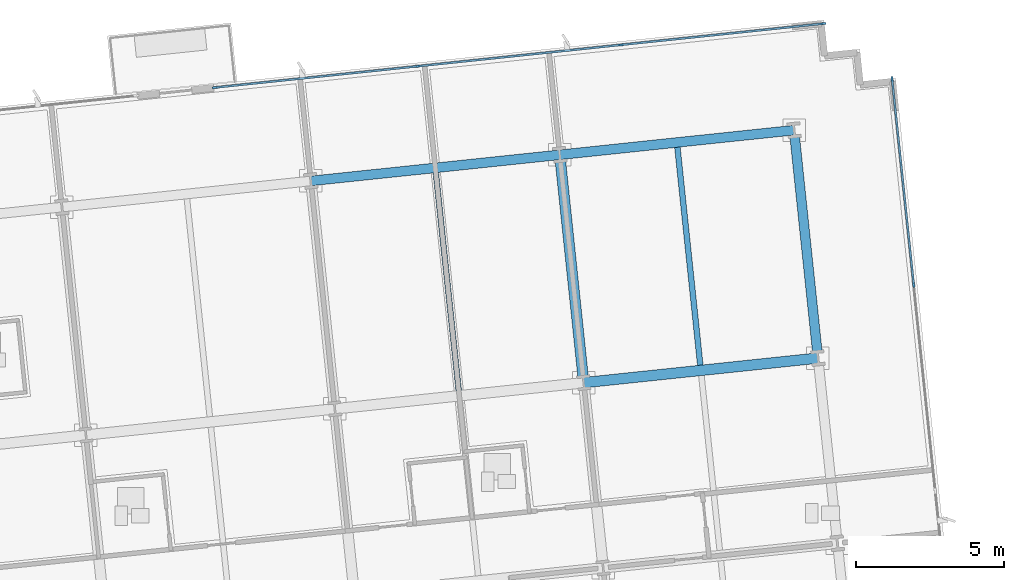
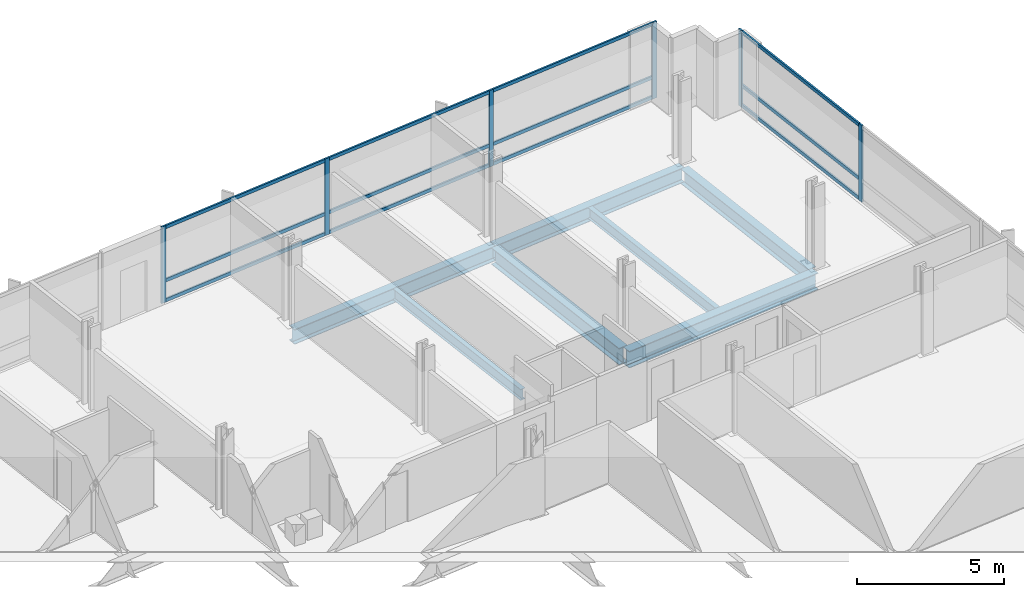
# One storey, part 8 of 19: 18 members, 7 beams, 2 elements without a shape of their own.
"""IFC4 building model written with IfcOpenShell, lengths in metres."""

from ifc_helpers import new_model, si_unit, direction, frame, origin, origin_2d, place, context, subcontext, project, spatial, rectangle, i_section, extrude, material, material_profile, profile_set, type_object, element, aggregate, save


model = new_model("IFC4")

# Units and contexts
model_context = context("Model", 3, precision=1e-05, world=origin(), true_north=direction((0.0, 1.0)))
body_context = subcontext(model_context, "Body", "Model", "MODEL_VIEW")
ifc_project = project(units=[si_unit("LENGTHUNIT", "METRE"), si_unit("AREAUNIT", "SQUARE_METRE"), si_unit("VOLUMEUNIT", "CUBIC_METRE"), si_unit("PLANEANGLEUNIT", "RADIAN"), si_unit("MASSUNIT", "GRAM", prefix="KILO")], contexts=[model_context])

# Site, building, storey
site_placement = place(None, origin())
site = spatial("IfcSite", under=ifc_project, at=site_placement, CompositionType="ELEMENT")
building_placement = place(site_placement, origin())
building = spatial("IfcBuilding", under=site, at=building_placement, Name="Solmavex Isthmus Hotel", CompositionType="ELEMENT")
storey_placement = place(building_placement, frame((0.0, 0.0, 83.550048828125)))
storey = spatial("IfcBuildingStorey", under=building, at=storey_placement, Name="L22", CompositionType="ELEMENT", Elevation=83.550048828125)

# Beams
ifc_material_1 = material(Name="Steel ASTM A992 Grade 50", Category="steel")
ifc_material_profile_1 = material_profile(ifc_material_1, i_section(OverallWidth=0.354736328125, OverallDepth=0.695556640625, WebThickness=0.015380859375, FlangeThickness=0.02490234375, FilletRadius=0.017822265625, at=origin_2d()), Name="W27X146")
ifc_profile_set_1 = profile_set([ifc_material_profile_1], Name="Steel ASTM A992 Grade 50")
beam_type_1 = type_object("IfcBeamType", Name="BM-BG-W27X146", PredefinedType="BEAM", material=ifc_profile_set_1)
beam_1_placement = place(storey_placement, frame((20.5615234375, 11.921875, -0.60791015625), z_axis=(0.994523402738, 0.104514120609, 0.0), x_axis=(-0.104514120609, 0.994523402738, 0.0)))
element("IfcBeam", 1, at=beam_1_placement, inside=storey, type_object=beam_type_1, Name="Floor Girder L22-UG18", PredefinedType="BEAM", context=body_context, shape_type="SweptSolid", body=[
    extrude(i_section(OverallWidth=0.354736328125, OverallDepth=0.695556640625, WebThickness=0.015380859375, FlangeThickness=0.02490234375, FilletRadius=0.017822265625, at=origin_2d()), origin(), (0.0, 0.0, 1.0), 7.968017578125),
])
beam_2_placement = place(storey_placement, frame((20.54296875, 12.098388671875, -0.60791015625), z_axis=(-0.1045578893, 0.994518802128, 0.0), x_axis=(-0.994518802128, -0.1045578893, 0.0)))
element("IfcBeam", 2, at=beam_2_placement, inside=storey, type_object=beam_type_1, Name="Floor Beam L22-VG45", PredefinedType="BEAM", context=body_context, shape_type="SweptSolid", body=[
    extrude(i_section(OverallWidth=0.354736328125, OverallDepth=0.695556640625, WebThickness=0.015380859375, FlangeThickness=0.02490234375, FilletRadius=0.017822265625, at=origin_2d()), origin(), (0.0, 0.0, 1.0), 7.4111328125),
])
ifc_material_profile_2 = material_profile(ifc_material_1, i_section(OverallWidth=0.1904296875, OverallDepth=0.456787109375, WebThickness=0.009033203125, FlangeThickness=0.014404296875, FilletRadius=0.0126953125, at=origin_2d()), Name="W18X50")
ifc_profile_set_2 = profile_set([ifc_material_profile_2], Name="Steel ASTM A992 Grade 50")
beam_type_2 = type_object("IfcBeamType", Name="BM-BJ-W18X50", PredefinedType="JOIST", material=ifc_profile_set_2)
for number, where, z_axis, x_axis, name in (
    (3, (16.3330078125, 11.65576171875, -0.488525390625), (-0.10452188296, 0.994522586964, 0.0), (-0.994522586964, -0.10452188296, 0.0), "Secondary Floor Joist L22-J18"),
    (4, (24.505126953125, 12.5146484375, -0.488525390625), (-0.10452188296, 0.994522586964, 0.0), (-0.994522586964, -0.10452188296, 0.0), "Secondary Floor Joist L22-J21"),
):
    element("IfcBeam", number, at=place(storey_placement, frame(where, z_axis=z_axis, x_axis=x_axis)), inside=storey, type_object=beam_type_2, Name=name, PredefinedType="JOIST", context=body_context, shape_type="SweptSolid", body=[
        extrude(i_section(OverallWidth=0.1904296875, OverallDepth=0.456787109375, WebThickness=0.009033203125, FlangeThickness=0.014404296875, FilletRadius=0.0126953125, at=origin_2d()), origin(), (0.0, 0.0, 1.0), 7.411376953125),
    ])
ifc_material_profile_3 = material_profile(ifc_material_1, i_section(OverallWidth=0.326416015625, OverallDepth=0.621826171875, WebThickness=0.015380859375, FlangeThickness=0.0244140625, FilletRadius=0.01513671875, at=origin_2d()), Name="W24X131")
ifc_profile_set_3 = profile_set([ifc_material_profile_3], Name="Steel ASTM A992 Grade 50")
beam_type_3 = type_object("IfcBeamType", Name="BM-SP-W24X131", PredefinedType="SPANDREL", material=ifc_profile_set_3)
beam_3_placement = place(storey_placement, frame((11.33154296875, 18.74658203125, -0.571044921875), z_axis=(0.994524082861, 0.104507648572, 0.0), x_axis=(-0.104507648572, 0.994524082861, 0.0)))
element("IfcBeam", 5, at=beam_3_placement, inside=storey, type_object=beam_type_3, Name="Floor Girder L22-UG23", PredefinedType="SPANDREL", context=body_context, shape_type="SweptSolid", body=[
    extrude(i_section(OverallWidth=0.326416015625, OverallDepth=0.621826171875, WebThickness=0.015380859375, FlangeThickness=0.0244140625, FilletRadius=0.01513671875, at=origin_2d()), origin(), (0.0, 0.0, 1.0), 8.466064453125),
])
beam_4_placement = place(storey_placement, frame((19.751220703125, 19.63134765625, -0.571044921875), z_axis=(0.994520217478, 0.10454442609, 0.0), x_axis=(-0.10454442609, 0.994520217478, 0.0)))
element("IfcBeam", 6, at=beam_4_placement, inside=storey, type_object=beam_type_3, Name="Floor Girder L22-UG24", PredefinedType="SPANDREL", context=body_context, shape_type="SweptSolid", body=[
    extrude(i_section(OverallWidth=0.326416015625, OverallDepth=0.621826171875, WebThickness=0.015380859375, FlangeThickness=0.0244140625, FilletRadius=0.01513671875, at=origin_2d()), origin(), (0.0, 0.0, 1.0), 7.968017578125),
])
beam_5_placement = place(storey_placement, frame((28.46728515625, 12.93115234375, -0.571044921875), z_axis=(-0.10452188296, 0.994522586964, 0.0), x_axis=(-0.994522586964, -0.10452188296, 0.0)))
element("IfcBeam", 7, at=beam_5_placement, inside=storey, type_object=beam_type_3, Name="Floor Beam L22-VG48", PredefinedType="SPANDREL", context=body_context, shape_type="SweptSolid", body=[
    extrude(i_section(OverallWidth=0.326416015625, OverallDepth=0.621826171875, WebThickness=0.015380859375, FlangeThickness=0.0244140625, FilletRadius=0.01513671875, at=origin_2d()), origin(), (0.0, 0.0, 1.0), 7.411376953125),
])

# Curtain wall, members
ifc_material_2 = material(Name="Aluminium alloy 6063-T6", Category="aluminium")
curtain_wall_type = type_object("IfcCurtainWallType", Name="CW-SYS-03", PredefinedType="NOTDEFINED", material=ifc_material_2)
curtain_wall_1_placement = place(storey_placement, origin())
curtain_wall_1 = element("IfcCurtainWall", 8, at=curtain_wall_1_placement, inside=storey, type_object=curtain_wall_type, Name="Stick Curtain Wall CWL-L22-N3", PredefinedType="NOTDEFINED")
ifc_material_profile_4 = material_profile(ifc_material_2, rectangle(XDim=0.070068359375, YDim=0.179931640625, at=origin_2d()), Name="CWM-70X180")
ifc_profile_set_4 = profile_set([ifc_material_profile_4], Name="Aluminium alloy 6063-T6")
member_type_1 = type_object("IfcMemberType", Name="CW-SYS-03-MUL", PredefinedType="MULLION", material=ifc_profile_set_4)
member_1_placement = place(storey_placement, frame((8.085693359375, 21.904541015625, 0.0), z_axis=(0.0, 0.0, 1.0), x_axis=(-0.10452837063, 0.994521905105, 0.0)))
member_1 = element("IfcMember", 9, at=member_1_placement, type_object=member_type_1, Name="CW-03 mullion 1", PredefinedType="MULLION", context=body_context, shape_type="SweptSolid", body=[
    extrude(rectangle(XDim=0.070068359375, YDim=0.179931640625, at=origin_2d()), origin(), (0.0, 0.0, 1.0), 3.18994140625),
])
member_2_placement = place(storey_placement, frame((14.935302734375, 22.62451171875, 0.0), z_axis=(0.0, 0.0, 1.0), x_axis=(-0.10452837063, 0.994521905105, 0.0)))
member_2 = element("IfcMember", 10, at=member_2_placement, type_object=member_type_1, Name="CW-03 mullion 2", PredefinedType="MULLION", context=body_context, shape_type="SweptSolid", body=[
    extrude(rectangle(XDim=0.070068359375, YDim=0.179931640625, at=origin_2d()), origin(), (0.0, 0.0, 1.0), 3.18994140625),
])
member_3_placement = place(storey_placement, frame((21.819580078125, 23.347900390625, 0.0), z_axis=(0.0, 0.0, 1.0), x_axis=(-0.10452837063, 0.994521905105, 0.0)))
member_3 = element("IfcMember", 11, at=member_3_placement, type_object=member_type_1, Name="CW-03 mullion 3", PredefinedType="MULLION", context=body_context, shape_type="SweptSolid", body=[
    extrude(rectangle(XDim=0.070068359375, YDim=0.179931640625, at=origin_2d()), origin(), (0.0, 0.0, 1.0), 3.18994140625),
])
member_4_placement = place(storey_placement, frame((28.669189453125, 24.06787109375, 0.0), z_axis=(0.0, 0.0, 1.0), x_axis=(-0.10452837063, 0.994521905105, 0.0)))
member_4 = element("IfcMember", 12, at=member_4_placement, type_object=member_type_1, Name="CW-03 mullion 4", PredefinedType="MULLION", context=body_context, shape_type="SweptSolid", body=[
    extrude(rectangle(XDim=0.070068359375, YDim=0.179931640625, at=origin_2d()), origin(), (0.0, 0.0, 1.0), 3.18994140625),
])

curtain_wall_2_placement = place(storey_placement, origin())
curtain_wall_2 = element("IfcCurtainWall", 13, at=curtain_wall_2_placement, inside=storey, type_object=curtain_wall_type, Name="Stick Curtain Wall CWL-L22-E1", PredefinedType="NOTDEFINED")
member_5_placement = place(storey_placement, frame((31.723876953125, 15.23876953125, 0.0), z_axis=(0.0, 0.0, 1.0), x_axis=(-0.994521893044, -0.104528485381, 0.0)))
member_5 = element("IfcMember", 14, at=member_5_placement, type_object=member_type_1, Name="CW-03 mullion 5", PredefinedType="MULLION", context=body_context, shape_type="SweptSolid", body=[
    extrude(rectangle(XDim=0.070068359375, YDim=0.179931640625, at=origin_2d()), origin(), (0.0, 0.0, 1.0), 3.18994140625),
])
member_6_placement = place(storey_placement, frame((30.99365234375, 22.185546875, 0.0), z_axis=(0.0, 0.0, 1.0), x_axis=(-0.994521893044, -0.104528485381, 0.0)))
member_6 = element("IfcMember", 15, at=member_6_placement, type_object=member_type_1, Name="CW-03 mullion 6", PredefinedType="MULLION", context=body_context, shape_type="SweptSolid", body=[
    extrude(rectangle(XDim=0.070068359375, YDim=0.179931640625, at=origin_2d()), origin(), (0.0, 0.0, 1.0), 3.18994140625),
])

# Member
ifc_material_profile_5 = material_profile(ifc_material_2, rectangle(XDim=0.070068359375, YDim=0.139892578125, at=origin_2d()), Name="CWT-70X140")
ifc_profile_set_5 = profile_set([ifc_material_profile_5], Name="Aluminium alloy 6063-T6")
member_type_2 = type_object("IfcMemberType", Name="CW-SYS-03-TRN", PredefinedType="USERDEFINED", material=ifc_profile_set_5)
member_7_placement = place(storey_placement, frame((8.120361328125, 21.908203125, 0.070068359375), z_axis=(0.99452133588, 0.104533786303, 0.0), x_axis=(-0.104533786303, 0.99452133588, 0.0)))
member_7 = element("IfcMember", 16, at=member_7_placement, type_object=member_type_2, Name="CW-03 transom 1.1", ObjectType="TRANSOM", PredefinedType="USERDEFINED", context=body_context, shape_type="SweptSolid", body=[
    extrude(rectangle(XDim=0.070068359375, YDim=0.139892578125, at=origin_2d()), origin(), (0.0, 0.0, 1.0), 6.8173828125),
])

member_8_placement = place(storey_placement, frame((8.120361328125, 21.908203125, 0.89990234375), z_axis=(0.99452133588, 0.104533786303, 0.0), x_axis=(-0.104533786303, 0.99452133588, 0.0)))
member_8 = element("IfcMember", 17, at=member_8_placement, type_object=member_type_2, Name="CW-03 transom 1.2", ObjectType="TRANSOM", PredefinedType="USERDEFINED", context=body_context, shape_type="SweptSolid", body=[
    extrude(rectangle(XDim=0.070068359375, YDim=0.139892578125, at=origin_2d()), origin(), (0.0, 0.0, 1.0), 6.8173828125),
])

member_9_placement = place(storey_placement, frame((8.120361328125, 21.908203125, 3.119873046875), z_axis=(0.99452133588, 0.104533786303, 0.0), x_axis=(-0.104533786303, 0.99452133588, 0.0)))
member_9 = element("IfcMember", 18, at=member_9_placement, type_object=member_type_2, Name="CW-03 transom 1.3", ObjectType="TRANSOM", PredefinedType="USERDEFINED", context=body_context, shape_type="SweptSolid", body=[
    extrude(rectangle(XDim=0.070068359375, YDim=0.139892578125, at=origin_2d()), origin(), (0.0, 0.0, 1.0), 6.8173828125),
])

member_10_placement = place(storey_placement, frame((14.969970703125, 22.628173828125, 0.070068359375), z_axis=(0.994525152797, 0.104497466259, 0.0), x_axis=(-0.104497466259, 0.994525152797, 0.0)))
member_10 = element("IfcMember", 19, at=member_10_placement, type_object=member_type_2, Name="CW-03 transom 2.1", ObjectType="TRANSOM", PredefinedType="USERDEFINED", context=body_context, shape_type="SweptSolid", body=[
    extrude(rectangle(XDim=0.070068359375, YDim=0.139892578125, at=origin_2d()), origin(), (0.0, 0.0, 1.0), 6.8525390625),
])

member_11_placement = place(storey_placement, frame((14.969970703125, 22.628173828125, 0.89990234375), z_axis=(0.994525152797, 0.104497466259, 0.0), x_axis=(-0.104497466259, 0.994525152797, 0.0)))
member_11 = element("IfcMember", 20, at=member_11_placement, type_object=member_type_2, Name="CW-03 transom 2.2", ObjectType="TRANSOM", PredefinedType="USERDEFINED", context=body_context, shape_type="SweptSolid", body=[
    extrude(rectangle(XDim=0.070068359375, YDim=0.139892578125, at=origin_2d()), origin(), (0.0, 0.0, 1.0), 6.8525390625),
])

member_12_placement = place(storey_placement, frame((14.969970703125, 22.628173828125, 3.119873046875), z_axis=(0.994525152797, 0.104497466259, 0.0), x_axis=(-0.104497466259, 0.994525152797, 0.0)))
member_12 = element("IfcMember", 21, at=member_12_placement, type_object=member_type_2, Name="CW-03 transom 2.3", ObjectType="TRANSOM", PredefinedType="USERDEFINED", context=body_context, shape_type="SweptSolid", body=[
    extrude(rectangle(XDim=0.070068359375, YDim=0.139892578125, at=origin_2d()), origin(), (0.0, 0.0, 1.0), 6.8525390625),
])

member_13_placement = place(storey_placement, frame((21.8544921875, 23.3515625, 0.070068359375), z_axis=(0.99452133588, 0.104533786303, 0.0), x_axis=(-0.104533786303, 0.99452133588, 0.0)))
member_13 = element("IfcMember", 22, at=member_13_placement, type_object=member_type_2, Name="CW-03 transom 3.1", ObjectType="TRANSOM", PredefinedType="USERDEFINED", context=body_context, shape_type="SweptSolid", body=[
    extrude(rectangle(XDim=0.070068359375, YDim=0.139892578125, at=origin_2d()), origin(), (0.0, 0.0, 1.0), 6.8173828125),
])

member_14_placement = place(storey_placement, frame((21.8544921875, 23.3515625, 0.89990234375), z_axis=(0.99452133588, 0.104533786303, 0.0), x_axis=(-0.104533786303, 0.99452133588, 0.0)))
member_14 = element("IfcMember", 23, at=member_14_placement, type_object=member_type_2, Name="CW-03 transom 3.2", ObjectType="TRANSOM", PredefinedType="USERDEFINED", context=body_context, shape_type="SweptSolid", body=[
    extrude(rectangle(XDim=0.070068359375, YDim=0.139892578125, at=origin_2d()), origin(), (0.0, 0.0, 1.0), 6.8173828125),
])

member_15_placement = place(storey_placement, frame((21.8544921875, 23.3515625, 3.119873046875), z_axis=(0.99452133588, 0.104533786303, 0.0), x_axis=(-0.104533786303, 0.99452133588, 0.0)))
member_15 = element("IfcMember", 24, at=member_15_placement, type_object=member_type_2, Name="CW-03 transom 3.3", ObjectType="TRANSOM", PredefinedType="USERDEFINED", context=body_context, shape_type="SweptSolid", body=[
    extrude(rectangle(XDim=0.070068359375, YDim=0.139892578125, at=origin_2d()), origin(), (0.0, 0.0, 1.0), 6.8173828125),
])

aggregate(curtain_wall_1, [member_1, member_2, member_3, member_4, member_7, member_8, member_9, member_10, member_11, member_12, member_13, member_14, member_15])

member_16_placement = place(storey_placement, frame((31.72021484375, 15.273681640625, 0.070068359375), z_axis=(-0.104539595565, 0.994520725254, 0.0), x_axis=(-0.994520725254, -0.104539595565, 0.0)))
member_16 = element("IfcMember", 25, at=member_16_placement, type_object=member_type_2, Name="CW-03 transom 5.1", ObjectType="TRANSOM", PredefinedType="USERDEFINED", context=body_context, shape_type="SweptSolid", body=[
    extrude(rectangle(XDim=0.070068359375, YDim=0.139892578125, at=origin_2d()), origin(), (0.0, 0.0, 1.0), 6.9150390625),
])

member_17_placement = place(storey_placement, frame((31.72021484375, 15.273681640625, 0.89990234375), z_axis=(-0.104539595565, 0.994520725254, 0.0), x_axis=(-0.994520725254, -0.104539595565, 0.0)))
member_17 = element("IfcMember", 26, at=member_17_placement, type_object=member_type_2, Name="CW-03 transom 5.2", ObjectType="TRANSOM", PredefinedType="USERDEFINED", context=body_context, shape_type="SweptSolid", body=[
    extrude(rectangle(XDim=0.070068359375, YDim=0.139892578125, at=origin_2d()), origin(), (0.0, 0.0, 1.0), 6.9150390625),
])

member_18_placement = place(storey_placement, frame((31.72021484375, 15.273681640625, 3.119873046875), z_axis=(-0.104539595565, 0.994520725254, 0.0), x_axis=(-0.994520725254, -0.104539595565, 0.0)))
member_18 = element("IfcMember", 27, at=member_18_placement, type_object=member_type_2, Name="CW-03 transom 5.3", ObjectType="TRANSOM", PredefinedType="USERDEFINED", context=body_context, shape_type="SweptSolid", body=[
    extrude(rectangle(XDim=0.070068359375, YDim=0.139892578125, at=origin_2d()), origin(), (0.0, 0.0, 1.0), 6.9150390625),
])

aggregate(curtain_wall_2, [member_5, member_6, member_16, member_17, member_18])

save(model, "model.ifc")
